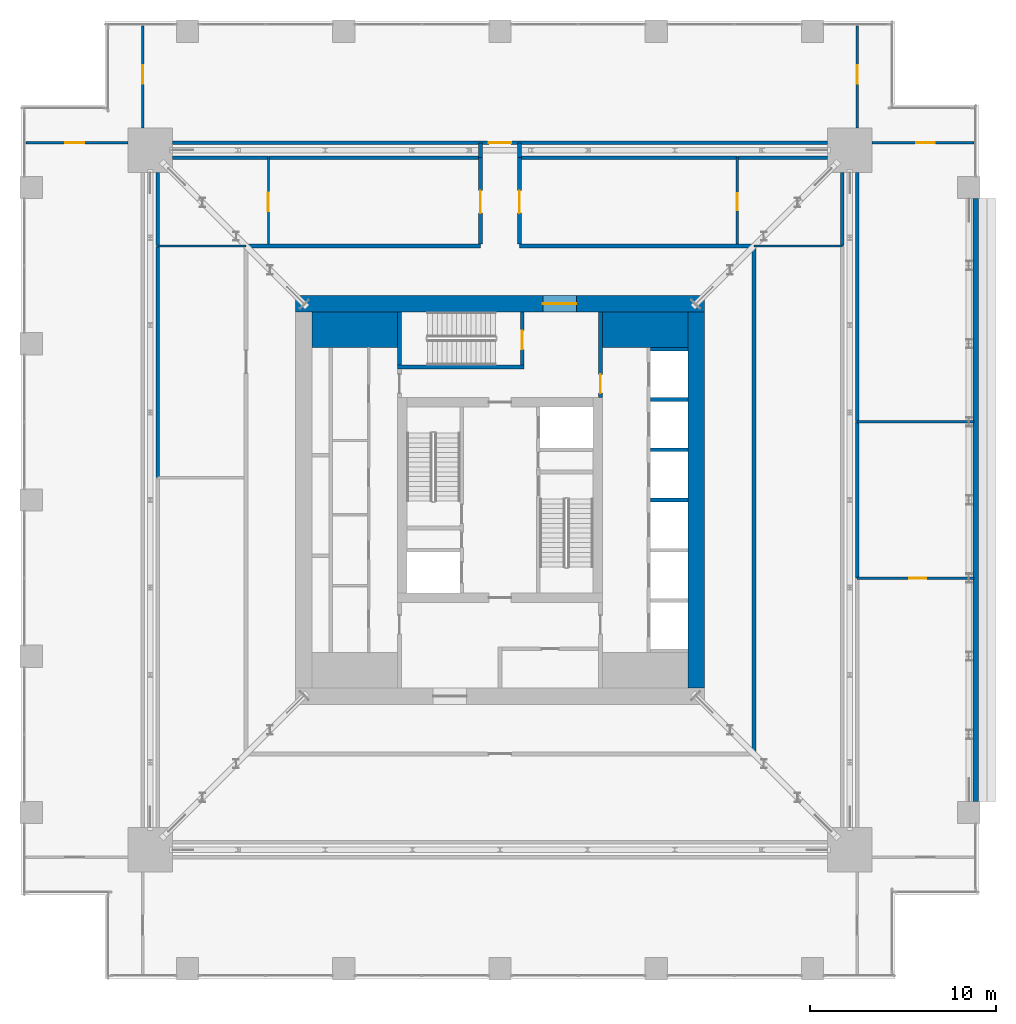
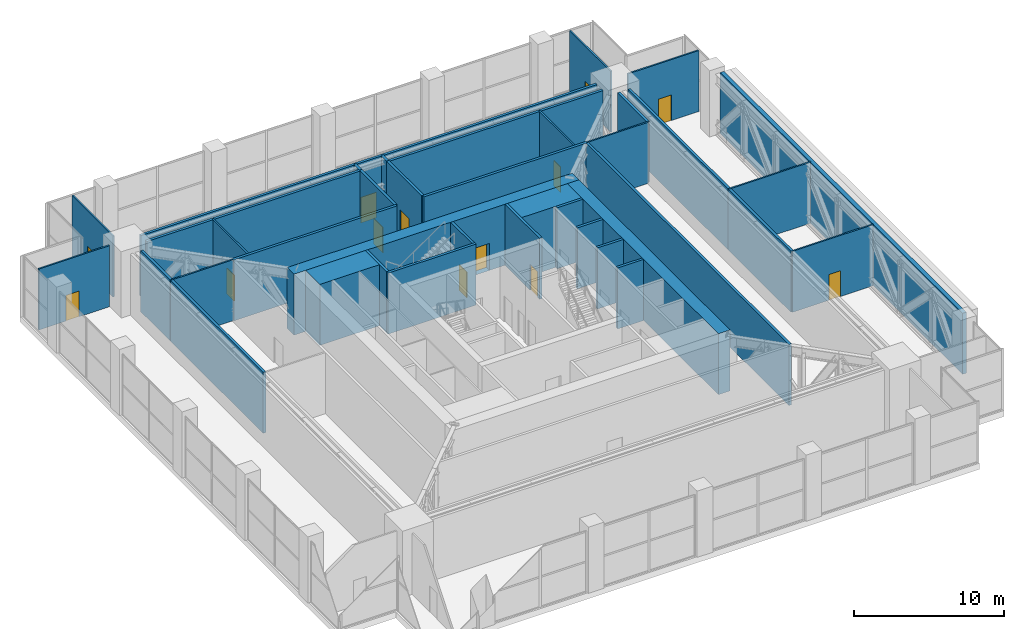
# One storey, part 17 of 21: 40 walls, 13 doors, 13 openings.
"""IFC4 building model written with IfcOpenShell, lengths in metres."""

import ifcopenshell
import ifcopenshell.guid

model = None  # the IFC model being written
_history = None  # IfcOwnerHistory: only IFC2X3 demands one
_inside = {}  # id of a spatial element -> (the spatial element, [elements in it])
_under = {}  # id of a project, library or spatial element -> (it, [spatial elements below it])
_declared = {}  # id of a project -> (the project, [libraries it declares])
_typed = {}  # id of a type object -> (the type object, [elements of that type])
_made_of = {}  # id of a material, layer set ... -> (it, [elements and type objects made of it])


def new_model(schema):
    """Start an empty IFC model of exactly this schema.

    Asked for "IFC4X3", IfcOpenShell would pick the latest addendum, in which some entities
    have other attributes; the version numbers below select the first issue.
    IFC2X3 requires an IfcOwnerHistory on every rooted entity: one is made here for all.
    """
    global model, _history
    if schema == "IFC4X3":
        model = ifcopenshell.file(schema_version=(4, 3, 0, 0))
    else:
        model = ifcopenshell.file(schema=schema)
    _inside.clear()
    _under.clear()
    _declared.clear()
    _typed.clear()
    _made_of.clear()
    _history = None
    if model.schema == "IFC2X3":
        org = make("IfcOrganization", Name="unknown")
        user = make(
            "IfcPersonAndOrganization",
            ThePerson=make("IfcPerson", FamilyName="unknown"),
            TheOrganization=org,
        )
        app = make(
            "IfcApplication",
            ApplicationDeveloper=org,
            Version="unknown",
            ApplicationFullName="unknown",
            ApplicationIdentifier="unknown",
        )
        _history = make(
            "IfcOwnerHistory",
            OwningUser=user,
            OwningApplication=app,
            ChangeAction="ADDED",
            CreationDate=0,
        )
    return model


def make(cls, **values):
    """One entity of the class cls with the attributes given. An attribute that is None is left unset."""
    return model.create_entity(
        cls, **{name: value for name, value in values.items() if value is not None}
    )


def rooted(cls, **values):
    """An entity with a GlobalId (a new one), such as an element, a storey or a relation."""
    return make(cls, GlobalId=ifcopenshell.guid.new(), OwnerHistory=_history, **values)


def si_unit(unit_type, name, prefix=None):
    """IfcSIUnit, for example si_unit("LENGTHUNIT", "METRE", prefix="MILLI")."""
    return make("IfcSIUnit", UnitType=unit_type, Prefix=prefix, Name=name)


def assignment(units):
    """IfcUnitAssignment: the units of a project."""
    return None if units is None else make("IfcUnitAssignment", Units=units)


def point(xyz):
    """IfcCartesianPoint."""
    return None if xyz is None else make("IfcCartesianPoint", Coordinates=xyz)


def direction(xyz):
    """IfcDirection."""
    return None if xyz is None else make("IfcDirection", DirectionRatios=xyz)


def frame(location, z_axis=None, x_axis=None):
    """IfcAxis2Placement3D, a coordinate frame: its origin and axes. An axis left out is left unset."""
    return make(
        "IfcAxis2Placement3D",
        Location=point(location),
        Axis=direction(z_axis),
        RefDirection=direction(x_axis),
    )


def frame_2d(location, x_axis=None):
    """IfcAxis2Placement2D, a coordinate frame in the plane: its origin and x axis."""
    return make(
        "IfcAxis2Placement2D", Location=point(location), RefDirection=direction(x_axis)
    )


def origin():
    """The frame at (0, 0, 0) with its axes left unset."""
    return frame((0.0, 0.0, 0.0))


def place(relative_to, where):
    """IfcLocalPlacement: puts the frame where relative to a parent placement (None: the world)."""
    return make(
        "IfcLocalPlacement", PlacementRelTo=relative_to, RelativePlacement=where
    )


def context(
    kind, dimensions, precision=None, world=None, true_north=None, identifier=None
):
    """IfcGeometricRepresentationContext, for example the 3D "Model" context."""
    return make(
        "IfcGeometricRepresentationContext",
        ContextIdentifier=identifier,
        ContextType=kind,
        CoordinateSpaceDimension=dimensions,
        Precision=precision,
        WorldCoordinateSystem=world,
        TrueNorth=true_north,
    )


def subcontext(parent, identifier, kind, view, scale=None):
    """IfcGeometricRepresentationSubContext, for example "Body" below "Model"."""
    return make(
        "IfcGeometricRepresentationSubContext",
        ContextIdentifier=identifier,
        ContextType=kind,
        ParentContext=parent,
        TargetScale=scale,
        TargetView=view,
    )


def project(units=None, contexts=None):
    """IfcProject with its units and contexts."""
    return rooted(
        "IfcProject",
        Name="project",
        RepresentationContexts=contexts,
        UnitsInContext=assignment(units),
    )


def spatial(cls, under=None, at=None, **own):
    """A site, building, storey or space (cls), placed at a placement, below another one or the project."""
    s = rooted(cls, ObjectPlacement=at, **own)
    if under is not None:
        _under.setdefault(under.id(), (under, []))[1].append(s)
    return s


def profile(cls, at=None, kind="AREA", **sizes):
    """A parametric profile (cls). Its sizes go by their IFC names, for example OverallWidth=200.0."""
    return make(cls, ProfileType=kind, Position=at, **sizes)


def rectangle(**sizes):
    """IfcRectangleProfileDef."""
    return profile("IfcRectangleProfileDef", **sizes)


def extrude(swept, where, along, depth):
    """IfcExtrudedAreaSolid: the profile swept, set in the frame where, extruded along a direction by depth."""
    return make(
        "IfcExtrudedAreaSolid",
        SweptArea=swept,
        Position=where,
        ExtrudedDirection=direction(along),
        Depth=depth,
    )


def shape(context_of_items, identifier, shape_type, items):
    """IfcShapeRepresentation: the items that make up one representation, for example the "Body"."""
    return make(
        "IfcShapeRepresentation",
        ContextOfItems=context_of_items,
        RepresentationIdentifier=identifier,
        RepresentationType=shape_type,
        Items=items,
    )


def material(Name=None, Category=None):
    """IfcMaterial."""
    return make("IfcMaterial", Name=Name, Category=Category)


def layer(
    of_material, thickness, ventilated=None, Name=None, Category=None, Priority=None
):
    """IfcMaterialLayer: one layer of a wall or slab, of a material (None: an air gap)."""
    return make(
        "IfcMaterialLayer",
        Material=of_material,
        LayerThickness=thickness,
        IsVentilated=ventilated,
        Name=Name,
        Category=Category,
        Priority=Priority,
    )


def layer_set(layers, Name=None):
    """IfcMaterialLayerSet."""
    return make("IfcMaterialLayerSet", MaterialLayers=layers, LayerSetName=Name)


def made_of(thing, what):
    """Note that an element or type object is made of a material, layer set ...; save() writes the relation."""
    if what is not None:
        _made_of.setdefault(what.id(), (what, []))[1].append(thing)
    return thing


def type_object(cls, material=None, **own):
    """A type object (cls), such as IfcWallType, which elements share."""
    return made_of(rooted(cls, **own), material)


def element(
    cls,
    number,
    at=None,
    inside=None,
    cuts=None,
    type_object=None,
    material=None,
    context=None,
    identifier="Body",
    shape_type=None,
    held_by="IfcProductDefinitionShape",
    body=None,
    shapes=None,
    **own,
):
    """One element of the class cls, such as IfcWall. Its Tag is "e" and its number.

    at: its placement. inside: the storey or other place that contains it. cuts: it is an
    opening in that element (IfcRelVoidsElement). A single representation is given by context,
    identifier, shape_type and body (its items); several are given by shapes. held_by: the class
    of the entity that holds the representations. save() writes the other relations.
    """
    e = rooted(cls, Tag="e%d" % number, ObjectPlacement=at, **own)
    if body is not None:
        shapes = [shape(context, identifier, shape_type, body)]
    if shapes is not None:
        e.Representation = make(held_by, Representations=shapes)
    if inside is not None:
        _inside.setdefault(inside.id(), (inside, []))[1].append(e)
    if cuts is not None:
        rooted(
            "IfcRelVoidsElement", RelatingBuildingElement=cuts, RelatedOpeningElement=e
        )
    if type_object is not None:
        _typed.setdefault(type_object.id(), (type_object, []))[1].append(e)
    return made_of(e, material)


def fill(opening, filler):
    """IfcRelFillsElement: the door or window that sits in an opening."""
    return rooted(
        "IfcRelFillsElement",
        RelatingOpeningElement=opening,
        RelatedBuildingElement=filler,
    )


def aggregate(whole, parts):
    """IfcRelAggregates: a whole, such as a stair, and the parts it consists of."""
    return rooted("IfcRelAggregates", RelatingObject=whole, RelatedObjects=parts)


def save(model, path):
    """Write the relations noted so far, then the file.

    IfcRelAggregates (storeys below a building ...), IfcRelContainedInSpatialStructure (elements
    in a storey), IfcRelDefinesByType, IfcRelAssociatesMaterial and IfcRelDeclares: one each for
    every whole, place, type object, material and project.
    """
    for whole, parts in _under.values():
        aggregate(whole, parts)
    for where, things in _inside.values():
        rooted(
            "IfcRelContainedInSpatialStructure",
            RelatedElements=things,
            RelatingStructure=where,
        )
    for kind, things in _typed.values():
        rooted("IfcRelDefinesByType", RelatedObjects=things, RelatingType=kind)
    for what, things in _made_of.values():
        rooted("IfcRelAssociatesMaterial", RelatedObjects=things, RelatingMaterial=what)
    for by, libraries in _declared.values():
        rooted("IfcRelDeclares", RelatingContext=by, RelatedDefinitions=libraries)
    model.write(path)


model = new_model("IFC4")

# Units and contexts
model_context = context("Model", 3, precision=1e-05, world=origin(), true_north=direction((0.0, 1.0)))
body_context = subcontext(model_context, "Body", "Model", "MODEL_VIEW")
ifc_project = project(units=[si_unit("LENGTHUNIT", "METRE"), si_unit("AREAUNIT", "SQUARE_METRE"), si_unit("VOLUMEUNIT", "CUBIC_METRE"), si_unit("PLANEANGLEUNIT", "RADIAN"), si_unit("MASSUNIT", "GRAM", prefix="KILO")], contexts=[model_context])

# Site, building, storey
site_placement = place(None, origin())
site = spatial("IfcSite", under=ifc_project, at=site_placement, CompositionType="ELEMENT")
building_placement = place(site_placement, origin())
building = spatial("IfcBuilding", under=site, at=building_placement, Name="Khepri Terraces", CompositionType="ELEMENT")
storey_placement = place(building_placement, frame((0.0, 0.0, 235.199951171875)))
storey = spatial("IfcBuildingStorey", under=building, at=storey_placement, Name="L56", CompositionType="ELEMENT", Elevation=235.199951171875)

# Walls
ifc_material_1 = material(Name="Concrete C50/60", Category="concrete")
ifc_layer_1 = layer(ifc_material_1, 1.89990234375, Name="Concrete C50/60", Category="concrete")
ifc_layer_set_1 = layer_set([ifc_layer_1], Name="Concrete C50/60")
wall_type_1 = type_object("IfcWallType", Name="Core wall 1900 C50/60", PredefinedType="SHEAR", material=ifc_layer_set_1)
for number, where, z_axis, x_axis, name in (
    (1, (-10.10009765625, 9.14990234375, 0.0), (0.0, 0.0, 1.0), (1.0, 0.0, 0.0), "Core wall PR03 L56"),
    (2, (5.5, 9.14990234375, 0.0), (0.0, 0.0, 1.0), (1.0, 0.0, 0.0), "Core wall PR04 L56"),
):
    element("IfcWall", number, at=place(storey_placement, frame(where, z_axis=z_axis, x_axis=x_axis)), inside=storey, type_object=wall_type_1, Name=name, PredefinedType="SHEAR", context=body_context, shape_type="SweptSolid", body=[
        extrude(rectangle(XDim=4.60009765625, YDim=1.89990234375, at=frame_2d((2.300048828125, 0.0))), origin(), (0.0, 0.0, 1.0), 4.97998046875),
    ])
ifc_layer_2 = layer(ifc_material_1, 0.199951171875, Name="Concrete C50/60", Category="concrete")
ifc_layer_set_2 = layer_set([ifc_layer_2], Name="Concrete C50/60")
wall_type_2 = type_object("IfcWallType", Name="Core wall 200 C50/60", PredefinedType="SHEAR", material=ifc_layer_set_2)
wall_1_placement = place(storey_placement, frame((-5.5, 7.14990234375, 0.0), z_axis=(0.0, 0.0, 1.0), x_axis=(1.0, 0.0, 0.0)))
element("IfcWall", 3, at=wall_1_placement, inside=storey, type_object=wall_type_2, Name="Core wall ST05 L56", PredefinedType="SHEAR", context=body_context, shape_type="SweptSolid", body=[
    extrude(rectangle(XDim=6.800048828125, YDim=0.199951171875, at=frame_2d((3.39990234375, 0.0))), origin(), (0.0, 0.0, 1.0), 4.97998046875),
])
wall_2_placement = place(storey_placement, frame((-5.39990234375, 7.25, 0.0), z_axis=(0.0, 0.0, 1.0), x_axis=(0.0, 1.0, 0.0)))
element("IfcWall", 4, at=wall_2_placement, inside=storey, type_object=wall_type_2, Name="Core wall ST06 L56", PredefinedType="SHEAR", context=body_context, shape_type="SweptSolid", body=[
    extrude(rectangle(XDim=2.85009765625, YDim=0.199951171875, at=frame_2d((1.425048828125, 0.0))), origin(), (0.0, 0.0, 1.0), 4.97998046875),
])

# Wall, opening, door
wall_3_placement = place(storey_placement, frame((1.199951171875, 7.25, 0.0), z_axis=(0.0, 0.0, 1.0), x_axis=(0.0, 1.0, 0.0)))
wall_3 = element("IfcWall", 5, at=wall_3_placement, inside=storey, type_object=wall_type_2, Name="Core wall ST07 L56", PredefinedType="SHEAR", context=body_context, shape_type="SweptSolid", body=[
    extrude(rectangle(XDim=2.85009765625, YDim=0.199951171875, at=frame_2d((1.425048828125, 0.0))), origin(), (0.0, 0.0, 1.0), 4.97998046875),
])
opening_1_placement = place(wall_3_placement, frame((0.85009765625, 0.0, 0.0)))
opening_1 = element("IfcOpeningElement", 6, at=opening_1_placement, cuts=wall_3, Name="Opening L56-C15", PredefinedType="OPENING", context=body_context, shape_type="SweptSolid", body=[
    extrude(rectangle(XDim=1.0, YDim=2.10009765625, at=frame_2d((0.5, 1.050048828125))), frame((0.0, 0.10986328125, 0.0), z_axis=(0.0, -1.0, 0.0), x_axis=(1.0, 0.0, 0.0)), (0.0, 0.0, 1.0), 0.219970703125),
])
ifc_material_2 = material(Name="Painted steel", Category="steel")
door_type_1 = type_object("IfcDoorType", Name="DR-CORE-STAIR-1000", OperationType="NOTDEFINED", PredefinedType="DOOR", material=ifc_material_2)
door_1_placement = place(opening_1_placement, origin())
door_1 = element("IfcDoor", 7, at=door_1_placement, inside=storey, type_object=door_type_1, Name="Stair door L56-C15", OperationType="SINGLE_SWING_LEFT", OverallHeight=2.10009765625, OverallWidth=1.0, PredefinedType="DOOR", context=body_context, shape_type="SweptSolid", body=[
    extrude(rectangle(XDim=1.0, YDim=2.10009765625, at=frame_2d((0.5, 1.050048828125))), frame((0.0, 0.02490234375, 0.0), z_axis=(0.0, -1.0, 0.0), x_axis=(1.0, 0.0, 0.0)), (0.0, 0.0, 1.0), 0.050048828125),
])
fill(opening_1, door_1)

# Walls
for number, where, z_axis, x_axis, name in (
    (8, (8.10009765625, 0.0, 0.0), (0.0, 0.0, 1.0), (1.0, 0.0, 0.0), "Core wall SH09 L56"),
    (9, (8.10009765625, 2.699951171875, 0.0), (0.0, 0.0, 1.0), (1.0, 0.0, 0.0), "Core wall SH13 L56"),
    (10, (8.10009765625, 5.39990234375, 0.0), (0.0, 0.0, 1.0), (1.0, 0.0, 0.0), "Core wall SH14 L56"),
    (11, (8.10009765625, 8.10009765625, 0.0), (0.0, 0.0, 1.0), (1.0, 0.0, 0.0), "Core wall SH15 L56"),
):
    element("IfcWall", number, at=place(storey_placement, frame(where, z_axis=z_axis, x_axis=x_axis)), inside=storey, type_object=wall_type_2, Name=name, PredefinedType="SHEAR", context=body_context, shape_type="SweptSolid", body=[
        extrude(rectangle(XDim=2.0, YDim=0.199951171875, at=frame_2d((1.0, 0.0))), origin(), (0.0, 0.0, 1.0), 4.97998046875),
    ])

# Wall, opening, door
ifc_layer_3 = layer(ifc_material_1, 0.89990234375, Name="Concrete C50/60", Category="concrete")
ifc_layer_set_3 = layer_set([ifc_layer_3], Name="Concrete C50/60")
wall_type_3 = type_object("IfcWallType", Name="Core wall 900 C50/60", PredefinedType="SHEAR", material=ifc_layer_set_3)
wall_4_placement = place(storey_placement, frame((-11.0, 10.550048828125, 0.0), z_axis=(0.0, 0.0, 1.0), x_axis=(1.0, 0.0, 0.0)))
wall_4 = element("IfcWall", 12, at=wall_4_placement, inside=storey, type_object=wall_type_3, Name="Core wall OW-N L56", PredefinedType="SHEAR", context=body_context, shape_type="SweptSolid", body=[
    extrude(rectangle(XDim=22.0, YDim=0.89990234375, at=frame_2d((11.0, 0.0))), origin(), (0.0, 0.0, 1.0), 4.97998046875),
])
opening_2_placement = place(wall_4_placement, frame((13.300048828125, 0.0, 0.0)))
opening_2 = element("IfcOpeningElement", 13, at=opening_2_placement, cuts=wall_4, Name="Opening L56-C20", PredefinedType="OPENING", context=body_context, shape_type="SweptSolid", body=[
    extrude(rectangle(XDim=1.800048828125, YDim=2.199951171875, at=frame_2d((0.89990234375, 1.10009765625))), frame((0.0, 0.4599609375, 0.0), z_axis=(0.0, -1.0, 0.0), x_axis=(1.0, 0.0, 0.0)), (0.0, 0.0, 1.0), 0.919921875),
])
door_type_2 = type_object("IfcDoorType", Name="DR-CORE-ENTRANCE-1800", OperationType="NOTDEFINED", PredefinedType="DOOR", material=ifc_material_2)
door_2_placement = place(opening_2_placement, origin())
door_2 = element("IfcDoor", 14, at=door_2_placement, inside=storey, type_object=door_type_2, Name="Core entrance door pair L56-C20", OperationType="DOUBLE_DOOR_SINGLE_SWING", OverallHeight=2.199951171875, OverallWidth=1.800048828125, PredefinedType="DOOR", context=body_context, shape_type="SweptSolid", body=[
    extrude(rectangle(XDim=1.800048828125, YDim=2.199951171875, at=frame_2d((0.89990234375, 1.10009765625))), frame((0.0, 0.02490234375, 0.0), z_axis=(0.0, -1.0, 0.0), x_axis=(1.0, 0.0, 0.0)), (0.0, 0.0, 1.0), 0.050048828125),
])
fill(opening_2, door_2)

# Wall
wall_5_placement = place(storey_placement, frame((10.550048828125, -10.10009765625, 0.0), z_axis=(0.0, 0.0, 1.0), x_axis=(0.0, 1.0, 0.0)))
element("IfcWall", 15, at=wall_5_placement, inside=storey, type_object=wall_type_3, Name="Core wall OW-E L56", PredefinedType="SHEAR", context=body_context, shape_type="SweptSolid", body=[
    extrude(rectangle(XDim=20.2001953125, YDim=0.89990234375, at=frame_2d((10.10009765625, 0.0))), origin(), (0.0, 0.0, 1.0), 4.97998046875),
])

# Wall, opening, door
ifc_material_3 = material(Name="Fire-rated gypsum board partition")
ifc_layer_4 = layer(ifc_material_3, 0.199951171875, Name="Fire-rated gypsum board partition")
ifc_layer_set_4 = layer_set([ifc_layer_4], Name="Fire-rated gypsum board partition")
wall_type_4 = type_object("IfcWallType", Name="WL-CORE-PART-200", PredefinedType="PARTITIONING", material=ifc_layer_set_4)
wall_6_placement = place(storey_placement, frame((5.39990234375, 5.5, 0.0), z_axis=(0.0, 0.0, 1.0), x_axis=(0.0, 1.0, 0.0)))
wall_6 = element("IfcWall", 16, at=wall_6_placement, inside=storey, type_object=wall_type_4, Name="Core partition PT10 L56", PredefinedType="PARTITIONING", context=body_context, shape_type="SweptSolid", body=[
    extrude(rectangle(XDim=4.60009765625, YDim=0.199951171875, at=frame_2d((2.300048828125, 0.0))), origin(), (0.0, 0.0, 1.0), 4.97998046875),
])
opening_3_placement = place(wall_6_placement, frame((0.25, 0.0, 0.0)))
opening_3 = element("IfcOpeningElement", 17, at=opening_3_placement, cuts=wall_6, Name="Opening L56-C17", PredefinedType="OPENING", context=body_context, shape_type="SweptSolid", body=[
    extrude(rectangle(XDim=1.0, YDim=2.10009765625, at=frame_2d((0.5, 1.050048828125))), frame((0.0, 0.10986328125, 0.0), z_axis=(0.0, -1.0, 0.0), x_axis=(1.0, 0.0, 0.0)), (0.0, 0.0, 1.0), 0.219970703125),
])
door_type_3 = type_object("IfcDoorType", Name="DR-CORE-LOBBY-1000", OperationType="NOTDEFINED", PredefinedType="DOOR", material=ifc_material_2)
door_3_placement = place(opening_3_placement, origin())
door_3 = element("IfcDoor", 18, at=door_3_placement, inside=storey, type_object=door_type_3, Name="Lobby door L56-C17", OperationType="SINGLE_SWING_LEFT", OverallHeight=2.10009765625, OverallWidth=1.0, PredefinedType="DOOR", context=body_context, shape_type="SweptSolid", body=[
    extrude(rectangle(XDim=1.0, YDim=2.10009765625, at=frame_2d((0.5, 1.050048828125))), frame((0.0, 0.02490234375, 0.0), z_axis=(0.0, -1.0, 0.0), x_axis=(1.0, 0.0, 0.0)), (0.0, 0.0, 1.0), 0.050048828125),
])
fill(opening_3, door_3)

# Walls
ifc_material_4 = material(Name="Fire-rated gypsum plasterboard partition, mineral wool")
ifc_layer_5 = layer(ifc_material_4, 0.199951171875, Name="Fire-rated gypsum plasterboard partition, mineral wool")
ifc_layer_set_5 = layer_set([ifc_layer_5], Name="Fire-rated gypsum plasterboard partition, mineral wool")
wall_type_5 = type_object("IfcWallType", Name="WL-CORR-200", PredefinedType="PARTITIONING", material=ifc_layer_set_5)
wall_7_placement = place(storey_placement, frame((13.64990234375, -13.550048828125, 0.0), z_axis=(0.0, 0.0, 1.0), x_axis=(0.0, 1.0, 0.0)))
element("IfcWall", 19, at=wall_7_placement, inside=storey, type_object=wall_type_5, Name="Partition P-013 L56", PredefinedType="PARTITIONING", context=body_context, shape_type="SweptSolid", body=[
    extrude(rectangle(XDim=27.10009765625, YDim=0.199951171875, at=frame_2d((13.550048828125, 0.0))), origin(), (0.0, 0.0, 1.0), 4.97998046875),
])
wall_8_placement = place(storey_placement, frame((19.199951171875, -4.179931640625, 0.0), z_axis=(0.0, 0.0, 1.0), x_axis=(0.0, 1.0, 0.0)))
element("IfcWall", 20, at=wall_8_placement, inside=storey, type_object=wall_type_5, Name="Partition P-015 L56", PredefinedType="PARTITIONING", context=body_context, shape_type="SweptSolid", body=[
    extrude(rectangle(XDim=8.35986328125, YDim=0.199951171875, at=frame_2d((4.179931640625, 0.0))), origin(), (0.0, 0.0, 1.0), 4.97998046875),
])
wall_9_placement = place(storey_placement, frame((-18.39990234375, 1.219970703125, 0.0), z_axis=(0.0, 0.0, 1.0), x_axis=(0.0, 1.0, 0.0)))
element("IfcWall", 21, at=wall_9_placement, inside=storey, type_object=wall_type_5, Name="Partition P-017 L56", PredefinedType="PARTITIONING", context=body_context, shape_type="SweptSolid", body=[
    extrude(rectangle(XDim=12.409912109375, YDim=0.199951171875, at=frame_2d((6.205078125, 0.0))), origin(), (0.0, 0.0, 1.0), 4.97998046875),
])
wall_10_placement = place(storey_placement, frame((19.199951171875, 4.219970703125, 0.0), z_axis=(0.0, 0.0, 1.0), x_axis=(0.0, 1.0, 0.0)))
element("IfcWall", 22, at=wall_10_placement, inside=storey, type_object=wall_type_5, Name="Partition P-019 L56", PredefinedType="PARTITIONING", context=body_context, shape_type="SweptSolid", body=[
    extrude(rectangle(XDim=13.380126953125, YDim=0.199951171875, at=frame_2d((6.68994140625, 0.0))), origin(), (0.0, 0.0, 1.0), 4.97998046875),
])
for number, where, z_axis, x_axis, name in (
    (23, (-13.64990234375, 13.64990234375, 0.0), (0.0, 0.0, 1.0), (1.0, 0.0, 0.0), "Partition P-021 L56"),
    (24, (1.050048828125, 13.64990234375, 0.0), (0.0, 0.0, 1.0), (1.0, 0.0, 0.0), "Partition P-022 L56"),
):
    element("IfcWall", number, at=place(storey_placement, frame(where, z_axis=z_axis, x_axis=x_axis)), inside=storey, type_object=wall_type_5, Name=name, PredefinedType="PARTITIONING", context=body_context, shape_type="SweptSolid", body=[
        extrude(rectangle(XDim=12.599853515625, YDim=0.199951171875, at=frame_2d((6.2998046875, 0.0))), origin(), (0.0, 0.0, 1.0), 4.97998046875),
    ])
for number, where, z_axis, x_axis, name in (
    (25, (-18.39990234375, 13.669921875, 0.0), (0.0, 0.0, 1.0), (0.0, 1.0, 0.0), "Partition P-024 L56"),
    (26, (18.39990234375, 13.669921875, 0.0), (0.0, 0.0, 1.0), (0.0, 1.0, 0.0), "Partition P-025 L56"),
):
    element("IfcWall", number, at=place(storey_placement, frame(where, z_axis=z_axis, x_axis=x_axis)), inside=storey, type_object=wall_type_5, Name=name, PredefinedType="PARTITIONING", context=body_context, shape_type="SweptSolid", body=[
        extrude(rectangle(XDim=3.93017578125, YDim=0.199951171875, at=frame_2d((1.965087890625, 0.0))), origin(), (0.0, 0.0, 1.0), 4.97998046875),
    ])

# Wall, opening, door
wall_11_placement = place(storey_placement, frame((-1.050048828125, 13.75, 0.0), z_axis=(0.0, 0.0, 1.0), x_axis=(0.0, 1.0, 0.0)))
wall_11 = element("IfcWall", 27, at=wall_11_placement, inside=storey, type_object=wall_type_5, Name="Partition P-027 L56", PredefinedType="PARTITIONING", context=body_context, shape_type="SweptSolid", body=[
    extrude(rectangle(XDim=4.64990234375, YDim=0.199951171875, at=frame_2d((2.324951171875, 0.0))), origin(), (0.0, 0.0, 1.0), 4.97998046875),
])
opening_4_placement = place(wall_11_placement, frame((1.675048828125, 0.0, 0.0)))
opening_4 = element("IfcOpeningElement", 28, at=opening_4_placement, cuts=wall_11, Name="Opening D6", PredefinedType="OPENING", context=body_context, shape_type="SweptSolid", body=[
    extrude(rectangle(XDim=1.199951171875, YDim=2.10009765625, at=frame_2d((0.60009765625, 1.050048828125))), frame((0.0, 0.10986328125, 0.0), z_axis=(0.0, -1.0, 0.0), x_axis=(1.0, 0.0, 0.0)), (0.0, 0.0, 1.0), 0.219970703125),
])
ifc_material_5 = material(Name="Timber door leaf, public room, fire-rated", Category="wood")
door_type_4 = type_object("IfcDoorType", Name="DR-PUB-1200", OperationType="NOTDEFINED", PredefinedType="DOOR", material=ifc_material_5)
door_4_placement = place(opening_4_placement, origin())
door_4 = element("IfcDoor", 29, at=door_4_placement, inside=storey, type_object=door_type_4, Name="Door Members Bar", OperationType="SINGLE_SWING_LEFT", OverallHeight=2.10009765625, OverallWidth=1.199951171875, PredefinedType="DOOR", context=body_context, shape_type="SweptSolid", body=[
    extrude(rectangle(XDim=1.199951171875, YDim=2.10009765625, at=frame_2d((0.60009765625, 1.050048828125))), frame((0.0, 0.02490234375, 0.0), z_axis=(0.0, -1.0, 0.0), x_axis=(1.0, 0.0, 0.0)), (0.0, 0.0, 1.0), 0.050048828125),
])
fill(opening_4, door_4)

wall_12_placement = place(storey_placement, frame((1.050048828125, 13.75, 0.0), z_axis=(0.0, 0.0, 1.0), x_axis=(0.0, 1.0, 0.0)))
wall_12 = element("IfcWall", 30, at=wall_12_placement, inside=storey, type_object=wall_type_5, Name="Partition P-028 L56", PredefinedType="PARTITIONING", context=body_context, shape_type="SweptSolid", body=[
    extrude(rectangle(XDim=4.64990234375, YDim=0.199951171875, at=frame_2d((2.324951171875, 0.0))), origin(), (0.0, 0.0, 1.0), 4.97998046875),
])
opening_5_placement = place(wall_12_placement, frame((1.675048828125, 0.0, 0.0)))
opening_5 = element("IfcOpeningElement", 31, at=opening_5_placement, cuts=wall_12, Name="Opening D6", PredefinedType="OPENING", context=body_context, shape_type="SweptSolid", body=[
    extrude(rectangle(XDim=1.199951171875, YDim=2.10009765625, at=frame_2d((0.60009765625, 1.050048828125))), frame((0.0, 0.10986328125, 0.0), z_axis=(0.0, -1.0, 0.0), x_axis=(1.0, 0.0, 0.0)), (0.0, 0.0, 1.0), 0.219970703125),
])
door_5_placement = place(opening_5_placement, frame((1.199951171875, 0.0, 0.0), z_axis=(0.0, 0.0, 1.0), x_axis=(-1.0, 0.0, 0.0)))
door_5 = element("IfcDoor", 32, at=door_5_placement, inside=storey, type_object=door_type_4, Name="Door Sky Club Lounge", OperationType="SINGLE_SWING_RIGHT", OverallHeight=2.10009765625, OverallWidth=1.199951171875, PredefinedType="DOOR", context=body_context, shape_type="SweptSolid", body=[
    extrude(rectangle(XDim=1.199951171875, YDim=2.10009765625, at=frame_2d((0.60009765625, 1.050048828125))), frame((0.0, 0.02490234375, 0.0), z_axis=(0.0, -1.0, 0.0), x_axis=(1.0, 0.0, 0.0)), (0.0, 0.0, 1.0), 0.050048828125),
])
fill(opening_5, door_5)

# Walls
wall_13_placement = place(storey_placement, frame((-17.60009765625, 18.39990234375, 0.0), z_axis=(0.0, 0.0, 1.0), x_axis=(1.0, 0.0, 0.0)))
element("IfcWall", 33, at=wall_13_placement, inside=storey, type_object=wall_type_5, Name="Partition P-030 L56", PredefinedType="PARTITIONING", context=body_context, shape_type="SweptSolid", body=[
    extrude(rectangle(XDim=5.130126953125, YDim=0.199951171875, at=frame_2d((2.56494140625, 0.0))), origin(), (0.0, 0.0, 1.0), 4.97998046875),
])
wall_14_placement = place(storey_placement, frame((-12.429931640625, 18.39990234375, 0.0), z_axis=(0.0, 0.0, 1.0), x_axis=(1.0, 0.0, 0.0)))
element("IfcWall", 34, at=wall_14_placement, inside=storey, type_object=wall_type_5, Name="Partition P-031 L56", PredefinedType="PARTITIONING", context=body_context, shape_type="SweptSolid", body=[
    extrude(rectangle(XDim=11.35986328125, YDim=0.199951171875, at=frame_2d((5.679931640625, 0.0))), origin(), (0.0, 0.0, 1.0), 4.97998046875),
])
wall_15_placement = place(storey_placement, frame((1.070068359375, 18.39990234375, 0.0), z_axis=(0.0, 0.0, 1.0), x_axis=(1.0, 0.0, 0.0)))
element("IfcWall", 35, at=wall_15_placement, inside=storey, type_object=wall_type_5, Name="Partition P-032 L56", PredefinedType="PARTITIONING", context=body_context, shape_type="SweptSolid", body=[
    extrude(rectangle(XDim=11.659912109375, YDim=0.199951171875, at=frame_2d((5.830078125, 0.0))), origin(), (0.0, 0.0, 1.0), 4.97998046875),
])
wall_16_placement = place(storey_placement, frame((12.77001953125, 18.39990234375, 0.0), z_axis=(0.0, 0.0, 1.0), x_axis=(1.0, 0.0, 0.0)))
element("IfcWall", 36, at=wall_16_placement, inside=storey, type_object=wall_type_5, Name="Partition P-033 L56", PredefinedType="PARTITIONING", context=body_context, shape_type="SweptSolid", body=[
    extrude(rectangle(XDim=4.830078125, YDim=0.199951171875, at=frame_2d((2.4150390625, 0.0))), origin(), (0.0, 0.0, 1.0), 4.97998046875),
])
for number, where, z_axis, x_axis, name in (
    (37, (-1.050048828125, 18.419921875, 0.0), (0.0, 0.0, 1.0), (0.0, 1.0, 0.0), "Partition P-034 L56"),
    (38, (1.050048828125, 18.419921875, 0.0), (0.0, 0.0, 1.0), (0.0, 1.0, 0.0), "Partition P-035 L56"),
):
    element("IfcWall", number, at=place(storey_placement, frame(where, z_axis=z_axis, x_axis=x_axis)), inside=storey, type_object=wall_type_5, Name=name, PredefinedType="PARTITIONING", context=body_context, shape_type="SweptSolid", body=[
        extrude(rectangle(XDim=0.760009765625, YDim=0.199951171875, at=frame_2d((0.3798828125, 0.0))), origin(), (0.0, 0.0, 1.0), 4.97998046875),
    ])

# Wall, opening, door
wall_17_placement = place(storey_placement, frame((-17.60009765625, 19.199951171875, 0.0), z_axis=(0.0, 0.0, 1.0), x_axis=(1.0, 0.0, 0.0)))
wall_17 = element("IfcWall", 39, at=wall_17_placement, inside=storey, type_object=wall_type_5, Name="Partition P-037 L56", PredefinedType="PARTITIONING", context=body_context, shape_type="SweptSolid", body=[
    extrude(rectangle(XDim=35.2001953125, YDim=0.199951171875, at=frame_2d((17.60009765625, 0.0))), origin(), (0.0, 0.0, 1.0), 4.97998046875),
])
opening_6_placement = place(wall_17_placement, frame((17.0, 0.0, 0.0)))
opening_6 = element("IfcOpeningElement", 40, at=opening_6_placement, cuts=wall_17, Name="Opening D6", PredefinedType="OPENING", context=body_context, shape_type="SweptSolid", body=[
    extrude(rectangle(XDim=1.199951171875, YDim=2.10009765625, at=frame_2d((0.60009765625, 1.050048828125))), frame((0.0, 0.10986328125, 0.0), z_axis=(0.0, -1.0, 0.0), x_axis=(1.0, 0.0, 0.0)), (0.0, 0.0, 1.0), 0.219970703125),
])
door_6_placement = place(opening_6_placement, origin())
door_6 = element("IfcDoor", 41, at=door_6_placement, inside=storey, type_object=door_type_4, Name="Door Wellness Centre", OperationType="SINGLE_SWING_RIGHT", OverallHeight=2.10009765625, OverallWidth=1.199951171875, PredefinedType="DOOR", context=body_context, shape_type="SweptSolid", body=[
    extrude(rectangle(XDim=1.199951171875, YDim=2.10009765625, at=frame_2d((0.60009765625, 1.050048828125))), frame((0.0, 0.02490234375, 0.0), z_axis=(0.0, -1.0, 0.0), x_axis=(1.0, 0.0, 0.0)), (0.0, 0.0, 1.0), 0.050048828125),
])
fill(opening_6, door_6)

# Wall
ifc_material_6 = material(Name="Precast concrete C50/60 warm stone", Category="masonry")
ifc_layer_6 = layer(ifc_material_6, 0.300048828125, Name="Precast concrete C50/60 warm stone", Category="masonry")
ifc_layer_set_6 = layer_set([ifc_layer_6], Name="Precast concrete C50/60 warm stone")
wall_type_6 = type_object("IfcWallType", Name="WL-EXT-PRECAST-300", PredefinedType="STANDARD", material=ifc_layer_set_6)
wall_18_placement = place(storey_placement, frame((25.570068359375, -16.199951171875, 0.0), z_axis=(0.0, 0.0, 1.0), x_axis=(0.0, 1.0, 0.0)))
element("IfcWall", 42, at=wall_18_placement, inside=storey, type_object=wall_type_6, Name="External wall L56 E", PredefinedType="STANDARD", context=body_context, shape_type="SweptSolid", body=[
    extrude(rectangle(XDim=32.39990234375, YDim=0.300048828125, at=frame_2d((16.199951171875, 0.0))), origin(), (0.0, 0.0, 1.0), 4.97998046875),
])

# Wall, opening, door
ifc_material_7 = material(Name="Gypsum plasterboard partition")
ifc_layer_7 = layer(ifc_material_7, 0.1201171875, Name="Gypsum plasterboard partition")
ifc_layer_set_7 = layer_set([ifc_layer_7], Name="Gypsum plasterboard partition")
wall_type_7 = type_object("IfcWallType", Name="WL-PART-120", PredefinedType="PARTITIONING", material=ifc_layer_set_7)
wall_19_placement = place(storey_placement, frame((19.199951171875, -4.199951171875, 0.0), z_axis=(0.0, 0.0, 1.0), x_axis=(1.0, 0.0, 0.0)))
wall_19 = element("IfcWall", 43, at=wall_19_placement, inside=storey, type_object=wall_type_7, Name="Partition P-014 L56", PredefinedType="PARTITIONING", context=body_context, shape_type="SweptSolid", body=[
    extrude(rectangle(XDim=6.27001953125, YDim=0.1201171875, at=frame_2d((3.135009765625, 0.0))), origin(), (0.0, 0.0, 1.0), 4.97998046875),
])
opening_7_placement = place(wall_19_placement, frame((2.81005859375, 0.0, 0.0)))
opening_7 = element("IfcOpeningElement", 44, at=opening_7_placement, cuts=wall_19, Name="Opening D4", PredefinedType="OPENING", context=body_context, shape_type="SweptSolid", body=[
    extrude(rectangle(XDim=0.89990234375, YDim=2.10009765625, at=frame_2d((0.449951171875, 1.050048828125))), frame((0.0, 0.070068359375, 0.0), z_axis=(0.0, -1.0, 0.0), x_axis=(1.0, 0.0, 0.0)), (0.0, 0.0, 1.0), 0.14013671875),
])
ifc_material_8 = material(Name="Timber door leaf, moisture resistant", Category="wood")
door_type_5 = type_object("IfcDoorType", Name="DR-WET-900", OperationType="NOTDEFINED", PredefinedType="DOOR", material=ifc_material_8)
door_7_placement = place(opening_7_placement, origin())
door_7 = element("IfcDoor", 45, at=door_7_placement, inside=storey, type_object=door_type_5, Name="Door Spa Wc", OperationType="SINGLE_SWING_RIGHT", OverallHeight=2.10009765625, OverallWidth=0.89990234375, PredefinedType="DOOR", context=body_context, shape_type="SweptSolid", body=[
    extrude(rectangle(XDim=0.89990234375, YDim=2.10009765625, at=frame_2d((0.449951171875, 1.050048828125))), frame((0.0, 0.02490234375, 0.0), z_axis=(0.0, -1.0, 0.0), x_axis=(1.0, 0.0, 0.0)), (0.0, 0.0, 1.0), 0.050048828125),
])
fill(opening_7, door_7)

# Walls
wall_20_placement = place(storey_placement, frame((19.199951171875, 4.199951171875, 0.0), z_axis=(0.0, 0.0, 1.0), x_axis=(1.0, 0.0, 0.0)))
element("IfcWall", 46, at=wall_20_placement, inside=storey, type_object=wall_type_7, Name="Partition P-018 L56", PredefinedType="PARTITIONING", context=body_context, shape_type="SweptSolid", body=[
    extrude(rectangle(XDim=6.27001953125, YDim=0.1201171875, at=frame_2d((3.135009765625, 0.0))), origin(), (0.0, 0.0, 1.0), 4.97998046875),
])
for number, where, z_axis, x_axis, name in (
    (47, (-18.39990234375, 13.64990234375, 0.0), (0.0, 0.0, 1.0), (1.0, 0.0, 0.0), "Partition P-020 L56"),
    (48, (13.64990234375, 13.64990234375, 0.0), (0.0, 0.0, 1.0), (1.0, 0.0, 0.0), "Partition P-023 L56"),
):
    element("IfcWall", number, at=place(storey_placement, frame(where, z_axis=z_axis, x_axis=x_axis)), inside=storey, type_object=wall_type_7, Name=name, PredefinedType="PARTITIONING", context=body_context, shape_type="SweptSolid", body=[
        extrude(rectangle(XDim=4.75, YDim=0.1201171875, at=frame_2d((2.375, 0.0))), origin(), (0.0, 0.0, 1.0), 4.97998046875),
    ])

# Wall, opening, door
wall_21_placement = place(storey_placement, frame((-12.449951171875, 13.75, 0.0), z_axis=(0.0, 0.0, 1.0), x_axis=(0.0, 1.0, 0.0)))
wall_21 = element("IfcWall", 49, at=wall_21_placement, inside=storey, type_object=wall_type_7, Name="Partition P-026 L56", PredefinedType="PARTITIONING", context=body_context, shape_type="SweptSolid", body=[
    extrude(rectangle(XDim=4.64990234375, YDim=0.1201171875, at=frame_2d((2.324951171875, 0.0))), origin(), (0.0, 0.0, 1.0), 4.97998046875),
])
opening_8_placement = place(wall_21_placement, frame((1.77490234375, 0.0, 0.0)))
opening_8 = element("IfcOpeningElement", 50, at=opening_8_placement, cuts=wall_21, Name="Opening D2", PredefinedType="OPENING", context=body_context, shape_type="SweptSolid", body=[
    extrude(rectangle(XDim=1.0, YDim=2.10009765625, at=frame_2d((0.5, 1.050048828125))), frame((0.0, 0.070068359375, 0.0), z_axis=(0.0, -1.0, 0.0), x_axis=(1.0, 0.0, 0.0)), (0.0, 0.0, 1.0), 0.14013671875),
])
ifc_material_9 = material(Name="Timber door leaf, living room door", Category="wood")
door_type_6 = type_object("IfcDoorType", Name="DR-INT-1000", OperationType="NOTDEFINED", PredefinedType="DOOR", material=ifc_material_9)
door_8_placement = place(opening_8_placement, origin())
door_8 = element("IfcDoor", 51, at=door_8_placement, inside=storey, type_object=door_type_6, Name="Door Club Pantry Kitchen", OperationType="SINGLE_SWING_LEFT", OverallHeight=2.10009765625, OverallWidth=1.0, PredefinedType="DOOR", context=body_context, shape_type="SweptSolid", body=[
    extrude(rectangle(XDim=1.0, YDim=2.10009765625, at=frame_2d((0.5, 1.050048828125))), frame((0.0, 0.02490234375, 0.0), z_axis=(0.0, -1.0, 0.0), x_axis=(1.0, 0.0, 0.0)), (0.0, 0.0, 1.0), 0.050048828125),
])
fill(opening_8, door_8)

wall_22_placement = place(storey_placement, frame((12.75, 13.75, 0.0), z_axis=(0.0, 0.0, 1.0), x_axis=(0.0, 1.0, 0.0)))
wall_22 = element("IfcWall", 52, at=wall_22_placement, inside=storey, type_object=wall_type_7, Name="Partition P-029 L56", PredefinedType="PARTITIONING", context=body_context, shape_type="SweptSolid", body=[
    extrude(rectangle(XDim=4.64990234375, YDim=0.1201171875, at=frame_2d((2.324951171875, 0.0))), origin(), (0.0, 0.0, 1.0), 4.97998046875),
])
opening_9_placement = place(wall_22_placement, frame((1.824951171875, 0.0, 0.0)))
opening_9 = element("IfcOpeningElement", 53, at=opening_9_placement, cuts=wall_22, Name="Opening D4", PredefinedType="OPENING", context=body_context, shape_type="SweptSolid", body=[
    extrude(rectangle(XDim=0.89990234375, YDim=2.10009765625, at=frame_2d((0.449951171875, 1.050048828125))), frame((0.0, 0.070068359375, 0.0), z_axis=(0.0, -1.0, 0.0), x_axis=(1.0, 0.0, 0.0)), (0.0, 0.0, 1.0), 0.14013671875),
])
door_9_placement = place(opening_9_placement, frame((0.89990234375, 0.0, 0.0), z_axis=(0.0, 0.0, 1.0), x_axis=(-1.0, 0.0, 0.0)))
door_9 = element("IfcDoor", 54, at=door_9_placement, inside=storey, type_object=door_type_5, Name="Door Club Accessible Wc", OperationType="SINGLE_SWING_RIGHT", OverallHeight=2.10009765625, OverallWidth=0.89990234375, PredefinedType="DOOR", context=body_context, shape_type="SweptSolid", body=[
    extrude(rectangle(XDim=0.89990234375, YDim=2.10009765625, at=frame_2d((0.449951171875, 1.050048828125))), frame((0.0, 0.02490234375, 0.0), z_axis=(0.0, -1.0, 0.0), x_axis=(1.0, 0.0, 0.0)), (0.0, 0.0, 1.0), 0.050048828125),
])
fill(opening_9, door_9)

wall_23_placement = place(storey_placement, frame((-25.469970703125, 19.199951171875, 0.0), z_axis=(0.0, 0.0, 1.0), x_axis=(1.0, 0.0, 0.0)))
wall_23 = element("IfcWall", 55, at=wall_23_placement, inside=storey, type_object=wall_type_7, Name="Partition P-036 L56", PredefinedType="PARTITIONING", context=body_context, shape_type="SweptSolid", body=[
    extrude(rectangle(XDim=5.469970703125, YDim=0.1201171875, at=frame_2d((2.73486328125, 0.0))), origin(), (0.0, 0.0, 1.0), 4.97998046875),
])
opening_10_placement = place(wall_23_placement, frame((2.110107421875, 0.0, 0.0)))
opening_10 = element("IfcOpeningElement", 56, at=opening_10_placement, cuts=wall_23, Name="Opening D2", PredefinedType="OPENING", context=body_context, shape_type="SweptSolid", body=[
    extrude(rectangle(XDim=1.0, YDim=2.10009765625, at=frame_2d((0.5, 1.050048828125))), frame((0.0, 0.070068359375, 0.0), z_axis=(0.0, -1.0, 0.0), x_axis=(1.0, 0.0, 0.0)), (0.0, 0.0, 1.0), 0.14013671875),
])
door_10_placement = place(opening_10_placement, frame((1.0, 0.0, 0.0), z_axis=(0.0, 0.0, 1.0), x_axis=(-1.0, 0.0, 0.0)))
door_10 = element("IfcDoor", 57, at=door_10_placement, inside=storey, type_object=door_type_6, Name="Door Fitness Studio", OperationType="SINGLE_SWING_RIGHT", OverallHeight=2.10009765625, OverallWidth=1.0, PredefinedType="DOOR", context=body_context, shape_type="SweptSolid", body=[
    extrude(rectangle(XDim=1.0, YDim=2.10009765625, at=frame_2d((0.5, 1.050048828125))), frame((0.0, 0.02490234375, 0.0), z_axis=(0.0, -1.0, 0.0), x_axis=(1.0, 0.0, 0.0)), (0.0, 0.0, 1.0), 0.050048828125),
])
fill(opening_10, door_10)

wall_24_placement = place(storey_placement, frame((20.0, 19.199951171875, 0.0), z_axis=(0.0, 0.0, 1.0), x_axis=(1.0, 0.0, 0.0)))
wall_24 = element("IfcWall", 58, at=wall_24_placement, inside=storey, type_object=wall_type_7, Name="Partition P-038 L56", PredefinedType="PARTITIONING", context=body_context, shape_type="SweptSolid", body=[
    extrude(rectangle(XDim=5.469970703125, YDim=0.1201171875, at=frame_2d((2.73486328125, 0.0))), origin(), (0.0, 0.0, 1.0), 4.97998046875),
])
opening_11_placement = place(wall_24_placement, frame((2.360107421875, 0.0, 0.0)))
opening_11 = element("IfcOpeningElement", 59, at=opening_11_placement, cuts=wall_24, Name="Opening D2", PredefinedType="OPENING", context=body_context, shape_type="SweptSolid", body=[
    extrude(rectangle(XDim=1.0, YDim=2.10009765625, at=frame_2d((0.5, 1.050048828125))), frame((0.0, 0.070068359375, 0.0), z_axis=(0.0, -1.0, 0.0), x_axis=(1.0, 0.0, 0.0)), (0.0, 0.0, 1.0), 0.14013671875),
])
door_11_placement = place(opening_11_placement, frame((1.0, 0.0, 0.0), z_axis=(0.0, 0.0, 1.0), x_axis=(-1.0, 0.0, 0.0)))
door_11 = element("IfcDoor", 60, at=door_11_placement, inside=storey, type_object=door_type_6, Name="Door Wellness Kitchen", OperationType="SINGLE_SWING_LEFT", OverallHeight=2.10009765625, OverallWidth=1.0, PredefinedType="DOOR", context=body_context, shape_type="SweptSolid", body=[
    extrude(rectangle(XDim=1.0, YDim=2.10009765625, at=frame_2d((0.5, 1.050048828125))), frame((0.0, 0.02490234375, 0.0), z_axis=(0.0, -1.0, 0.0), x_axis=(1.0, 0.0, 0.0)), (0.0, 0.0, 1.0), 0.050048828125),
])
fill(opening_11, door_11)

wall_25_placement = place(storey_placement, frame((-19.199951171875, 20.0, 0.0), z_axis=(0.0, 0.0, 1.0), x_axis=(0.0, 1.0, 0.0)))
wall_25 = element("IfcWall", 61, at=wall_25_placement, inside=storey, type_object=wall_type_7, Name="Partition P-039 L56", PredefinedType="PARTITIONING", context=body_context, shape_type="SweptSolid", body=[
    extrude(rectangle(XDim=5.469970703125, YDim=0.1201171875, at=frame_2d((2.73486328125, 0.0))), origin(), (0.0, 0.0, 1.0), 4.97998046875),
])
opening_12_placement = place(wall_25_placement, frame((2.360107421875, 0.0, 0.0)))
opening_12 = element("IfcOpeningElement", 62, at=opening_12_placement, cuts=wall_25, Name="Opening D2", PredefinedType="OPENING", context=body_context, shape_type="SweptSolid", body=[
    extrude(rectangle(XDim=1.0, YDim=2.10009765625, at=frame_2d((0.5, 1.050048828125))), frame((0.0, 0.070068359375, 0.0), z_axis=(0.0, -1.0, 0.0), x_axis=(1.0, 0.0, 0.0)), (0.0, 0.0, 1.0), 0.14013671875),
])
door_12_placement = place(opening_12_placement, origin())
door_12 = element("IfcDoor", 63, at=door_12_placement, inside=storey, type_object=door_type_6, Name="Door Spa Treatment Suite", OperationType="SINGLE_SWING_RIGHT", OverallHeight=2.10009765625, OverallWidth=1.0, PredefinedType="DOOR", context=body_context, shape_type="SweptSolid", body=[
    extrude(rectangle(XDim=1.0, YDim=2.10009765625, at=frame_2d((0.5, 1.050048828125))), frame((0.0, 0.02490234375, 0.0), z_axis=(0.0, -1.0, 0.0), x_axis=(1.0, 0.0, 0.0)), (0.0, 0.0, 1.0), 0.050048828125),
])
fill(opening_12, door_12)

wall_26_placement = place(storey_placement, frame((19.199951171875, 20.0, 0.0), z_axis=(0.0, 0.0, 1.0), x_axis=(0.0, 1.0, 0.0)))
wall_26 = element("IfcWall", 64, at=wall_26_placement, inside=storey, type_object=wall_type_7, Name="Partition P-040 L56", PredefinedType="PARTITIONING", context=body_context, shape_type="SweptSolid", body=[
    extrude(rectangle(XDim=5.469970703125, YDim=0.1201171875, at=frame_2d((2.73486328125, 0.0))), origin(), (0.0, 0.0, 1.0), 4.97998046875),
])
opening_13_placement = place(wall_26_placement, frame((2.360107421875, 0.0, 0.0)))
opening_13 = element("IfcOpeningElement", 65, at=opening_13_placement, cuts=wall_26, Name="Opening D2", PredefinedType="OPENING", context=body_context, shape_type="SweptSolid", body=[
    extrude(rectangle(XDim=1.0, YDim=2.10009765625, at=frame_2d((0.5, 1.050048828125))), frame((0.0, 0.070068359375, 0.0), z_axis=(0.0, -1.0, 0.0), x_axis=(1.0, 0.0, 0.0)), (0.0, 0.0, 1.0), 0.14013671875),
])
door_13_placement = place(opening_13_placement, frame((1.0, 0.0, 0.0), z_axis=(0.0, 0.0, 1.0), x_axis=(-1.0, 0.0, 0.0)))
door_13 = element("IfcDoor", 66, at=door_13_placement, inside=storey, type_object=door_type_6, Name="Door Yoga Studio", OperationType="SINGLE_SWING_LEFT", OverallHeight=2.10009765625, OverallWidth=1.0, PredefinedType="DOOR", context=body_context, shape_type="SweptSolid", body=[
    extrude(rectangle(XDim=1.0, YDim=2.10009765625, at=frame_2d((0.5, 1.050048828125))), frame((0.0, 0.02490234375, 0.0), z_axis=(0.0, -1.0, 0.0), x_axis=(1.0, 0.0, 0.0)), (0.0, 0.0, 1.0), 0.050048828125),
])
fill(opening_13, door_13)

save(model, "model.ifc")
